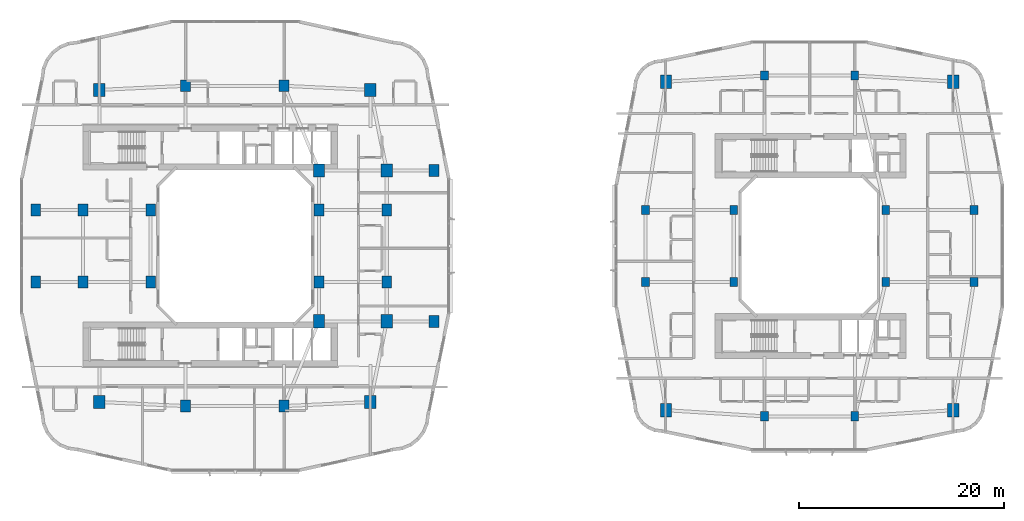
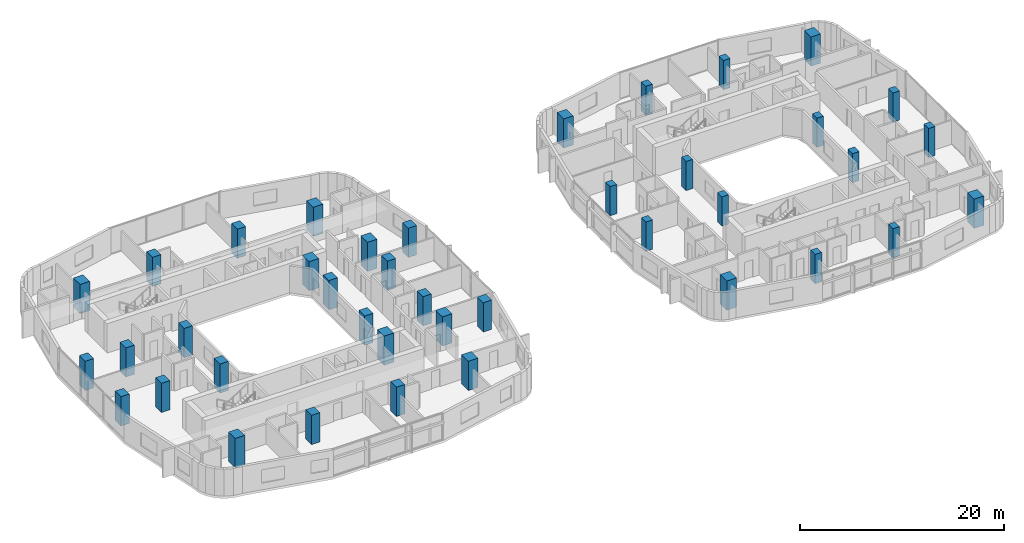
# One storey, part 1 of 27: 40 columns.
"""IFC4 building model written with IfcOpenShell, lengths in metres."""

from ifc_helpers import new_model, si_unit, derived_unit, direction, frame, origin, origin_2d, place, context, subcontext, project, spatial, rectangle, extrude, material, material_profile, profile_set, type_object, element, save


model = new_model("IFC4")

# Units and contexts
model_context = context("Model", 3, precision=1e-05, world=origin(), true_north=direction((0.0, 1.0)))
body_context = subcontext(model_context, "Body", "Model", "MODEL_VIEW")
ifc_project = project(units=[si_unit("LENGTHUNIT", "METRE"), si_unit("AREAUNIT", "SQUARE_METRE"), si_unit("VOLUMEUNIT", "CUBIC_METRE"), si_unit("PLANEANGLEUNIT", "RADIAN"), si_unit("MASSUNIT", "GRAM", prefix="KILO"), derived_unit("THERMALTRANSMITTANCEUNIT", [(si_unit("POWERUNIT", "WATT"), 1), (si_unit("LENGTHUNIT", "METRE"), -2), (si_unit("THERMODYNAMICTEMPERATUREUNIT", "KELVIN"), -1)])], contexts=[model_context])

# Site, building, storey
site_placement = place(None, origin())
site = spatial("IfcSite", under=ifc_project, at=site_placement, CompositionType="ELEMENT")
building_placement = place(site_placement, origin())
building = spatial("IfcBuilding", under=site, at=building_placement, Name="Kivonza Crest Hotel", CompositionType="ELEMENT")
storey_placement = place(building_placement, frame((0.0, 0.0, 41.5)))
storey = spatial("IfcBuildingStorey", under=building, at=storey_placement, Name="L10", CompositionType="ELEMENT", Elevation=41.5)

# Columns
ifc_material_1 = material(Name="Concrete C60/75", Category="concrete")
ifc_material_profile_1 = material_profile(ifc_material_1, rectangle(XDim=0.949951171875, YDim=1.14990234375, at=origin_2d()), Name="RC 1150x950")
ifc_profile_set_1 = profile_set([ifc_material_profile_1], Name="Concrete C60/75")
column_type_1 = type_object("IfcColumnType", Name="CL-RC-1150x950", PredefinedType="COLUMN", material=ifc_profile_set_1)
for number, where, z_axis, x_axis, name in (
    (1, (16.199951171875, 9.39990234375, 0.0), (0.0, 0.0, 1.0), (1.0, 0.0, 0.0), "Tower T1 L10 column S1"),
    (2, (25.800048828125, 9.39990234375, 0.0), (0.0, 0.0, 1.0), (1.0, 0.0, 0.0), "Tower T1 L10 column S2"),
    (3, (16.199951171875, 40.60009765625, 0.0), (0.0, 0.0, 1.0), (1.0, 0.0, 0.0), "Tower T1 L10 column N1"),
    (4, (25.800048828125, 40.60009765625, 0.0), (0.0, 0.0, 1.0), (1.0, 0.0, 0.0), "Tower T1 L10 column N2"),
    (5, (6.199951171875, 21.5, 0.0), (0.0, 0.0, 1.0), (1.0, 0.0, 0.0), "Tower T1 L10 column W1"),
    (6, (6.199951171875, 28.5, 0.0), (0.0, 0.0, 1.0), (1.0, 0.0, 0.0), "Tower T1 L10 column W2"),
    (7, (35.800048828125, 21.5, 0.0), (0.0, 0.0, 1.0), (1.0, 0.0, 0.0), "Tower T1 L10 column E1"),
    (8, (35.800048828125, 28.5, 0.0), (0.0, 0.0, 1.0), (1.0, 0.0, 0.0), "Tower T1 L10 column E2"),
    (9, (12.800048828125, 21.5, 0.0), (0.0, 0.0, 1.0), (1.0, 0.0, 0.0), "Tower T1 L10 column WL1"),
    (10, (12.800048828125, 28.5, 0.0), (0.0, 0.0, 1.0), (1.0, 0.0, 0.0), "Tower T1 L10 column WL2"),
    (11, (29.199951171875, 21.5, 0.0), (0.0, 0.0, 1.0), (1.0, 0.0, 0.0), "Tower T1 L10 column WR1"),
    (12, (29.199951171875, 28.5, 0.0), (0.0, 0.0, 1.0), (1.0, 0.0, 0.0), "Tower T1 L10 column WR2"),
    (13, (1.60009765625, 21.5, 0.0), (0.0, 0.0, 1.0), (1.0, 0.0, 0.0), "Tower T1 L10 column Z1W1"),
    (14, (1.60009765625, 28.5, 0.0), (0.0, 0.0, 1.0), (1.0, 0.0, 0.0), "Tower T1 L10 column Z1W2"),
    (15, (40.39990234375, 17.64990234375, 0.0), (0.0, 0.0, 1.0), (1.0, 0.0, 0.0), "Tower T1 L10 column Z1E1"),
    (16, (40.39990234375, 32.35009765625, 0.0), (0.0, 0.0, 1.0), (1.0, 0.0, 0.0), "Tower T1 L10 column Z1E2"),
):
    element("IfcColumn", number, at=place(storey_placement, frame(where, z_axis=z_axis, x_axis=x_axis)), inside=storey, type_object=column_type_1, Name=name, PredefinedType="COLUMN", context=body_context, shape_type="SweptSolid", body=[
        extrude(rectangle(XDim=0.949951171875, YDim=1.14990234375, at=origin_2d()), origin(), (0.0, 0.0, 1.0), 3.5),
    ])
ifc_material_profile_2 = material_profile(ifc_material_1, rectangle(XDim=1.10009765625, YDim=1.300048828125, at=origin_2d()), Name="RC 1300x1100")
ifc_profile_set_2 = profile_set([ifc_material_profile_2], Name="Concrete C60/75")
column_type_2 = type_object("IfcColumnType", Name="CL-RC-1300x1100", PredefinedType="COLUMN", material=ifc_profile_set_2)
for number, where, z_axis, x_axis, name in (
    (17, (7.800048828125, 9.800048828125, 0.0), (0.0, 0.0, 1.0), (1.0, 0.0, 0.0), "Tower T1 L10 column SW"),
    (18, (34.199951171875, 9.800048828125, 0.0), (0.0, 0.0, 1.0), (1.0, 0.0, 0.0), "Tower T1 L10 column SE"),
    (19, (34.199951171875, 40.199951171875, 0.0), (0.0, 0.0, 1.0), (1.0, 0.0, 0.0), "Tower T1 L10 column NE"),
    (20, (7.800048828125, 40.199951171875, 0.0), (0.0, 0.0, 1.0), (1.0, 0.0, 0.0), "Tower T1 L10 column NW"),
    (21, (35.800048828125, 17.64990234375, 0.0), (0.0, 0.0, 1.0), (1.0, 0.0, 0.0), "Tower T1 L10 column PSE"),
    (22, (35.800048828125, 32.35009765625, 0.0), (0.0, 0.0, 1.0), (1.0, 0.0, 0.0), "Tower T1 L10 column PNE"),
    (23, (29.199951171875, 17.64990234375, 0.0), (0.0, 0.0, 1.0), (1.0, 0.0, 0.0), "Tower T1 L10 column TSE"),
    (24, (29.199951171875, 32.35009765625, 0.0), (0.0, 0.0, 1.0), (1.0, 0.0, 0.0), "Tower T1 L10 column TNE"),
    (25, (63.0, 9.0, 0.0), (0.0, 0.0, 1.0), (1.0, 0.0, 0.0), "Companion Tower T2 L10 column SW"),
    (26, (91.0, 9.0, 0.0), (0.0, 0.0, 1.0), (1.0, 0.0, 0.0), "Companion Tower T2 L10 column SE"),
    (27, (91.0, 41.0, 0.0), (0.0, 0.0, 1.0), (1.0, 0.0, 0.0), "Companion Tower T2 L10 column NE"),
    (28, (63.0, 41.0, 0.0), (0.0, 0.0, 1.0), (1.0, 0.0, 0.0), "Companion Tower T2 L10 column NW"),
):
    element("IfcColumn", number, at=place(storey_placement, frame(where, z_axis=z_axis, x_axis=x_axis)), inside=storey, type_object=column_type_2, Name=name, PredefinedType="COLUMN", context=body_context, shape_type="SweptSolid", body=[
        extrude(rectangle(XDim=1.10009765625, YDim=1.300048828125, at=origin_2d()), origin(), (0.0, 0.0, 1.0), 3.5),
    ])
ifc_material_2 = material(Name="Concrete C50/60", Category="concrete")
ifc_material_profile_3 = material_profile(ifc_material_2, rectangle(XDim=0.75, YDim=0.89990234375, at=origin_2d()), Name="RC 900x750")
ifc_profile_set_3 = profile_set([ifc_material_profile_3], Name="Concrete C50/60")
column_type_3 = type_object("IfcColumnType", Name="CL-RC-900x750", PredefinedType="COLUMN", material=ifc_profile_set_3)
for number, where, z_axis, x_axis, name in (
    (29, (72.60009765625, 8.39990234375, 0.0), (0.0, 0.0, 1.0), (1.0, 0.0, 0.0), "Companion Tower T2 L10 column S1"),
    (30, (81.39990234375, 8.39990234375, 0.0), (0.0, 0.0, 1.0), (1.0, 0.0, 0.0), "Companion Tower T2 L10 column S2"),
    (31, (72.60009765625, 41.60009765625, 0.0), (0.0, 0.0, 1.0), (1.0, 0.0, 0.0), "Companion Tower T2 L10 column N1"),
    (32, (81.39990234375, 41.60009765625, 0.0), (0.0, 0.0, 1.0), (1.0, 0.0, 0.0), "Companion Tower T2 L10 column N2"),
    (33, (61.0, 21.5, 0.0), (0.0, 0.0, 1.0), (1.0, 0.0, 0.0), "Companion Tower T2 L10 column W1"),
    (34, (61.0, 28.5, 0.0), (0.0, 0.0, 1.0), (1.0, 0.0, 0.0), "Companion Tower T2 L10 column W2"),
    (35, (93.0, 21.5, 0.0), (0.0, 0.0, 1.0), (1.0, 0.0, 0.0), "Companion Tower T2 L10 column E1"),
    (36, (93.0, 28.5, 0.0), (0.0, 0.0, 1.0), (1.0, 0.0, 0.0), "Companion Tower T2 L10 column E2"),
    (37, (69.60009765625, 21.5, 0.0), (0.0, 0.0, 1.0), (1.0, 0.0, 0.0), "Companion Tower T2 L10 column WL1"),
    (38, (69.60009765625, 28.5, 0.0), (0.0, 0.0, 1.0), (1.0, 0.0, 0.0), "Companion Tower T2 L10 column WL2"),
    (39, (84.39990234375, 21.5, 0.0), (0.0, 0.0, 1.0), (1.0, 0.0, 0.0), "Companion Tower T2 L10 column WR1"),
    (40, (84.39990234375, 28.5, 0.0), (0.0, 0.0, 1.0), (1.0, 0.0, 0.0), "Companion Tower T2 L10 column WR2"),
):
    element("IfcColumn", number, at=place(storey_placement, frame(where, z_axis=z_axis, x_axis=x_axis)), inside=storey, type_object=column_type_3, Name=name, PredefinedType="COLUMN", context=body_context, shape_type="SweptSolid", body=[
        extrude(rectangle(XDim=0.75, YDim=0.89990234375, at=origin_2d()), origin(), (0.0, 0.0, 1.0), 3.5),
    ])

save(model, "model.ifc")
